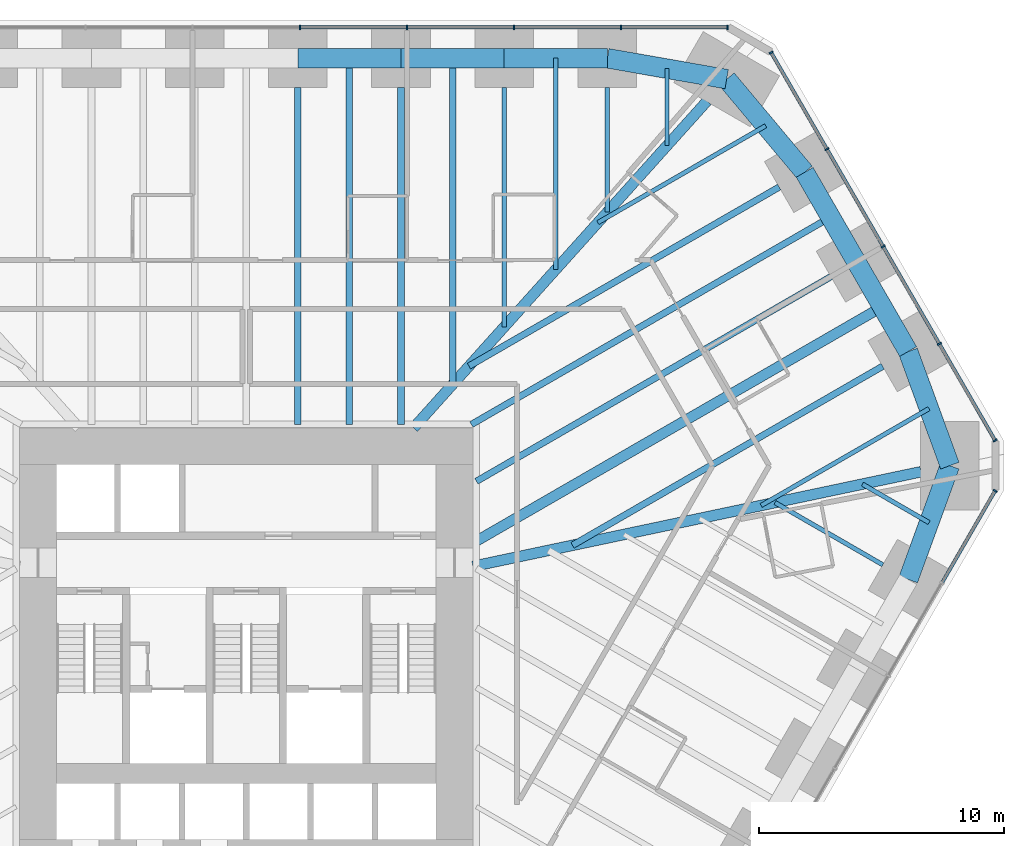
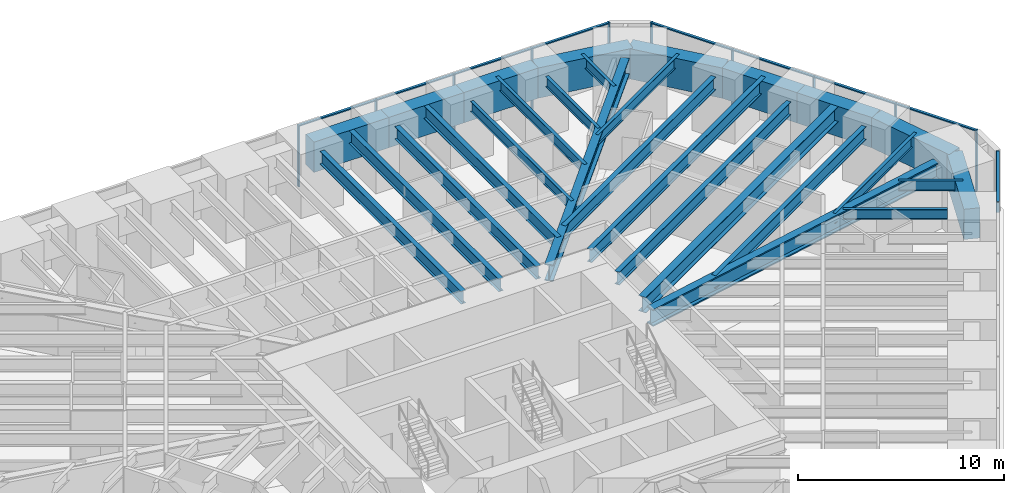
# One storey, part 9 of 17: 28 beams, 20 members, 3 elements without a shape of their own.
"""IFC4 building model written with IfcOpenShell, lengths in metres."""

from ifc_helpers import new_model, si_unit, direction, frame, origin, origin_2d, place, context, subcontext, project, spatial, rectangle, i_section, extrude, material, material_profile, profile_set, type_object, element, aggregate, save


model = new_model("IFC4")

# Units and contexts
model_context = context("Model", 3, precision=1e-05, world=origin(), true_north=direction((0.0, 1.0)))
body_context = subcontext(model_context, "Body", "Model", "MODEL_VIEW")
ifc_project = project(units=[si_unit("LENGTHUNIT", "METRE"), si_unit("AREAUNIT", "SQUARE_METRE"), si_unit("VOLUMEUNIT", "CUBIC_METRE"), si_unit("PLANEANGLEUNIT", "RADIAN"), si_unit("MASSUNIT", "GRAM", prefix="KILO")], contexts=[model_context])

# Site, building, storey
site_placement = place(None, origin())
site = spatial("IfcSite", under=ifc_project, at=site_placement, CompositionType="ELEMENT")
building_placement = place(site_placement, origin())
building = spatial("IfcBuilding", under=site, at=building_placement, Name="Sandreach Pilgrim Tower", CompositionType="ELEMENT")
storey_placement = place(building_placement, frame((0.0, 0.0, 38.199951171875)))
storey = spatial("IfcBuildingStorey", under=building, at=storey_placement, Name="L08", CompositionType="ELEMENT", Elevation=38.199951171875)

# Curtain wall, members
ifc_material_1 = material(Name="Aluminium framed curtain wall", Category="aluminium")
curtain_wall_type = type_object("IfcCurtainWallType", Name="Hostel tower curtain wall", PredefinedType="NOTDEFINED", material=ifc_material_1)
curtain_wall_1_placement = place(storey_placement, origin())
curtain_wall_1 = element("IfcCurtainWall", 1, at=curtain_wall_1_placement, inside=storey, type_object=curtain_wall_type, Name="CW-1 L08 N", PredefinedType="NOTDEFINED")
ifc_material_2 = material(Name="Aluminium extrusion", Category="aluminium")
ifc_material_profile_1 = material_profile(ifc_material_2, rectangle(XDim=0.06494140625, YDim=0.179931640625, at=origin_2d()), Name="CW-1M 65X180")
ifc_profile_set_1 = profile_set([ifc_material_profile_1], Name="Aluminium extrusion")
member_type_1 = type_object("IfcMemberType", Name="CW-1 mullion", PredefinedType="MULLION", material=ifc_profile_set_1)
member_1_placement = place(storey_placement, frame((2.185791015625, 23.94873046875, 0.0), z_axis=(0.0, 0.0, 1.0), x_axis=(1.0, 0.0, 0.0)))
member_1 = element("IfcMember", 2, at=member_1_placement, type_object=member_type_1, Name="CW-1 mullion 6", PredefinedType="MULLION", context=body_context, shape_type="SweptSolid", body=[
    extrude(rectangle(XDim=0.06494140625, YDim=0.179931640625, at=origin_2d()), origin(), (0.0, 0.0, 1.0), 3.64013671875),
])
member_2_placement = place(storey_placement, frame((6.557373046875, 23.94873046875, 0.0), z_axis=(0.0, 0.0, 1.0), x_axis=(1.0, 0.0, 0.0)))
member_2 = element("IfcMember", 3, at=member_2_placement, type_object=member_type_1, Name="CW-1 mullion 7", PredefinedType="MULLION", context=body_context, shape_type="SweptSolid", body=[
    extrude(rectangle(XDim=0.06494140625, YDim=0.179931640625, at=origin_2d()), origin(), (0.0, 0.0, 1.0), 3.64013671875),
])
member_3_placement = place(storey_placement, frame((10.928955078125, 23.94873046875, 0.0), z_axis=(0.0, 0.0, 1.0), x_axis=(1.0, 0.0, 0.0)))
member_3 = element("IfcMember", 4, at=member_3_placement, type_object=member_type_1, Name="CW-1 mullion 8", PredefinedType="MULLION", context=body_context, shape_type="SweptSolid", body=[
    extrude(rectangle(XDim=0.06494140625, YDim=0.179931640625, at=origin_2d()), origin(), (0.0, 0.0, 1.0), 3.64013671875),
])
member_4_placement = place(storey_placement, frame((15.300537109375, 23.94873046875, 0.0), z_axis=(0.0, 0.0, 1.0), x_axis=(1.0, 0.0, 0.0)))
member_4 = element("IfcMember", 5, at=member_4_placement, type_object=member_type_1, Name="CW-1 mullion 9", PredefinedType="MULLION", context=body_context, shape_type="SweptSolid", body=[
    extrude(rectangle(XDim=0.06494140625, YDim=0.179931640625, at=origin_2d()), origin(), (0.0, 0.0, 1.0), 3.64013671875),
])
member_5_placement = place(storey_placement, frame((19.6396484375, 23.94873046875, 0.0), z_axis=(0.0, 0.0, 1.0), x_axis=(1.0, 0.0, 0.0)))
member_5 = element("IfcMember", 6, at=member_5_placement, type_object=member_type_1, Name="CW-1 mullion 10", PredefinedType="MULLION", context=body_context, shape_type="SweptSolid", body=[
    extrude(rectangle(XDim=0.06494140625, YDim=0.179931640625, at=origin_2d()), origin(), (0.0, 0.0, 1.0), 3.64013671875),
])

curtain_wall_2_placement = place(storey_placement, origin())
curtain_wall_2 = element("IfcCurtainWall", 7, at=curtain_wall_2_placement, inside=storey, type_object=curtain_wall_type, Name="CW-1 L08 NE", PredefinedType="NOTDEFINED")
member_6_placement = place(storey_placement, frame((21.42041015625, 22.920654296875, 0.0), z_axis=(0.0, 0.0, 1.0), x_axis=(0.5, -0.866025403784, 0.0)))
member_6 = element("IfcMember", 8, at=member_6_placement, type_object=member_type_1, Name="CW-1 mullion 1", PredefinedType="MULLION", context=body_context, shape_type="SweptSolid", body=[
    extrude(rectangle(XDim=0.06494140625, YDim=0.179931640625, at=origin_2d()), origin(), (0.0, 0.0, 1.0), 3.64013671875),
])
member_7_placement = place(storey_placement, frame((23.697265625, 18.97705078125, 0.0), z_axis=(0.0, 0.0, 1.0), x_axis=(0.5, -0.866025403784, 0.0)))
member_7 = element("IfcMember", 9, at=member_7_placement, type_object=member_type_1, Name="CW-1 mullion 2", PredefinedType="MULLION", context=body_context, shape_type="SweptSolid", body=[
    extrude(rectangle(XDim=0.06494140625, YDim=0.179931640625, at=origin_2d()), origin(), (0.0, 0.0, 1.0), 3.64013671875),
])
member_8_placement = place(storey_placement, frame((25.990234375, 15.00537109375, 0.0), z_axis=(0.0, 0.0, 1.0), x_axis=(0.5, -0.866025403784, 0.0)))
member_8 = element("IfcMember", 10, at=member_8_placement, type_object=member_type_1, Name="CW-1 mullion 3", PredefinedType="MULLION", context=body_context, shape_type="SweptSolid", body=[
    extrude(rectangle(XDim=0.06494140625, YDim=0.179931640625, at=origin_2d()), origin(), (0.0, 0.0, 1.0), 3.64013671875),
])
member_9_placement = place(storey_placement, frame((28.283203125, 11.03369140625, 0.0), z_axis=(0.0, 0.0, 1.0), x_axis=(0.5, -0.866025403784, 0.0)))
member_9 = element("IfcMember", 11, at=member_9_placement, type_object=member_type_1, Name="CW-1 mullion 4", PredefinedType="MULLION", context=body_context, shape_type="SweptSolid", body=[
    extrude(rectangle(XDim=0.06494140625, YDim=0.179931640625, at=origin_2d()), origin(), (0.0, 0.0, 1.0), 3.64013671875),
])
member_10_placement = place(storey_placement, frame((30.56005859375, 7.09033203125, 0.0), z_axis=(0.0, 0.0, 1.0), x_axis=(0.5, -0.866025403784, 0.0)))
member_10 = element("IfcMember", 12, at=member_10_placement, type_object=member_type_1, Name="CW-1 mullion 5", PredefinedType="MULLION", context=body_context, shape_type="SweptSolid", body=[
    extrude(rectangle(XDim=0.06494140625, YDim=0.179931640625, at=origin_2d()), origin(), (0.0, 0.0, 1.0), 3.64013671875),
])

# Curtain wall, member
curtain_wall_3_placement = place(storey_placement, origin())
curtain_wall_3 = element("IfcCurtainWall", 13, at=curtain_wall_3_placement, inside=storey, type_object=curtain_wall_type, Name="CW-1 L08 SE", PredefinedType="NOTDEFINED")
member_11_placement = place(storey_placement, frame((30.56005859375, 5.033935546875, 0.0), z_axis=(0.0, 0.0, 1.0), x_axis=(-0.5, -0.866025403784, 0.0)))
member_11 = element("IfcMember", 14, at=member_11_placement, type_object=member_type_1, Name="CW-1 mullion 1", PredefinedType="MULLION", context=body_context, shape_type="SweptSolid", body=[
    extrude(rectangle(XDim=0.06494140625, YDim=0.179931640625, at=origin_2d()), origin(), (0.0, 0.0, 1.0), 3.64013671875),
])

# Member
ifc_material_3 = material(Name="Aluminium extrusion", Category="aluminium")
ifc_material_profile_2 = material_profile(ifc_material_3, rectangle(XDim=0.139892578125, YDim=0.070068359375, at=origin_2d()), Name="CW-1T 140X70")
ifc_profile_set_2 = profile_set([ifc_material_profile_2], Name="Aluminium extrusion")
member_type_2 = type_object("IfcMemberType", Name="CW-1 transom", PredefinedType="USERDEFINED", material=ifc_profile_set_2)
member_12_placement = place(storey_placement, frame((2.21826171875, 23.94873046875, 3.60498046875), z_axis=(1.0, 0.0, 0.0), x_axis=(0.0, 1.0, 0.0)))
member_12 = element("IfcMember", 15, at=member_12_placement, type_object=member_type_2, Name="CW-1 head transom 6", ObjectType="TRANSOM", PredefinedType="USERDEFINED", context=body_context, shape_type="SweptSolid", body=[
    extrude(rectangle(XDim=0.139892578125, YDim=0.070068359375, at=origin_2d()), origin(), (0.0, 0.0, 1.0), 4.306640625),
])

member_13_placement = place(storey_placement, frame((6.58984375, 23.94873046875, 3.60498046875), z_axis=(1.0, 0.0, 0.0), x_axis=(0.0, 1.0, 0.0)))
member_13 = element("IfcMember", 16, at=member_13_placement, type_object=member_type_2, Name="CW-1 head transom 7", ObjectType="TRANSOM", PredefinedType="USERDEFINED", context=body_context, shape_type="SweptSolid", body=[
    extrude(rectangle(XDim=0.139892578125, YDim=0.070068359375, at=origin_2d()), origin(), (0.0, 0.0, 1.0), 4.306640625),
])

member_14_placement = place(storey_placement, frame((10.96142578125, 23.94873046875, 3.60498046875), z_axis=(1.0, 0.0, 0.0), x_axis=(0.0, 1.0, 0.0)))
member_14 = element("IfcMember", 17, at=member_14_placement, type_object=member_type_2, Name="CW-1 head transom 8", ObjectType="TRANSOM", PredefinedType="USERDEFINED", context=body_context, shape_type="SweptSolid", body=[
    extrude(rectangle(XDim=0.139892578125, YDim=0.070068359375, at=origin_2d()), origin(), (0.0, 0.0, 1.0), 4.306640625),
])

member_15_placement = place(storey_placement, frame((15.3330078125, 23.94873046875, 3.60498046875), z_axis=(1.0, 0.0, 0.0), x_axis=(0.0, 1.0, 0.0)))
member_15 = element("IfcMember", 18, at=member_15_placement, type_object=member_type_2, Name="CW-1 head transom 9", ObjectType="TRANSOM", PredefinedType="USERDEFINED", context=body_context, shape_type="SweptSolid", body=[
    extrude(rectangle(XDim=0.139892578125, YDim=0.070068359375, at=origin_2d()), origin(), (0.0, 0.0, 1.0), 4.274169921875),
])

aggregate(curtain_wall_1, [member_1, member_2, member_3, member_4, member_5, member_12, member_13, member_14, member_15])

member_16_placement = place(storey_placement, frame((21.4365234375, 22.892333984375, 3.60498046875), z_axis=(0.500017500808, -0.866015299452, 0.0), x_axis=(0.866015299452, 0.500017500808, 0.0)))
member_16 = element("IfcMember", 19, at=member_16_placement, type_object=member_type_2, Name="CW-1 head transom 1", ObjectType="TRANSOM", PredefinedType="USERDEFINED", context=body_context, shape_type="SweptSolid", body=[
    extrude(rectangle(XDim=0.139892578125, YDim=0.070068359375, at=origin_2d()), origin(), (0.0, 0.0, 1.0), 4.488525390625),
])

member_17_placement = place(storey_placement, frame((23.71337890625, 18.948974609375, 3.60498046875), z_axis=(0.500001366228, -0.866024614991, 0.0), x_axis=(0.866024614991, 0.500001366228, 0.0)))
member_17 = element("IfcMember", 20, at=member_17_placement, type_object=member_type_2, Name="CW-1 head transom 2", ObjectType="TRANSOM", PredefinedType="USERDEFINED", context=body_context, shape_type="SweptSolid", body=[
    extrude(rectangle(XDim=0.139892578125, YDim=0.070068359375, at=origin_2d()), origin(), (0.0, 0.0, 1.0), 4.52099609375),
])

member_18_placement = place(storey_placement, frame((26.00634765625, 14.977294921875, 3.60498046875), z_axis=(0.500001366228, -0.866024614991, 0.0), x_axis=(0.866024614991, 0.500001366228, 0.0)))
member_18 = element("IfcMember", 21, at=member_18_placement, type_object=member_type_2, Name="CW-1 head transom 3", ObjectType="TRANSOM", PredefinedType="USERDEFINED", context=body_context, shape_type="SweptSolid", body=[
    extrude(rectangle(XDim=0.139892578125, YDim=0.070068359375, at=origin_2d()), origin(), (0.0, 0.0, 1.0), 4.52099609375),
])

member_19_placement = place(storey_placement, frame((28.299560546875, 11.005615234375, 3.60498046875), z_axis=(0.499976706761, -0.866038851724, 0.0), x_axis=(0.866038851724, 0.499976706761, 0.0)))
member_19 = element("IfcMember", 22, at=member_19_placement, type_object=member_type_2, Name="CW-1 head transom 4", ObjectType="TRANSOM", PredefinedType="USERDEFINED", context=body_context, shape_type="SweptSolid", body=[
    extrude(rectangle(XDim=0.139892578125, YDim=0.070068359375, at=origin_2d()), origin(), (0.0, 0.0, 1.0), 4.488525390625),
])

aggregate(curtain_wall_2, [member_6, member_7, member_8, member_9, member_10, member_16, member_17, member_18, member_19])

member_20_placement = place(storey_placement, frame((30.543701171875, 5.005859375, 3.60498046875), z_axis=(-0.499991113271, -0.866030534479, 0.0), x_axis=(0.866030534479, -0.499991113271, 0.0)))
member_20 = element("IfcMember", 23, at=member_20_placement, type_object=member_type_2, Name="CW-1 head transom 1", ObjectType="TRANSOM", PredefinedType="USERDEFINED", context=body_context, shape_type="SweptSolid", body=[
    extrude(rectangle(XDim=0.139892578125, YDim=0.070068359375, at=origin_2d()), origin(), (0.0, 0.0, 1.0), 4.27392578125),
])

aggregate(curtain_wall_3, [member_11, member_20])

# Beams
ifc_material_4 = material(Name="Steel ASTM A992 Grade 50", Category="steel")
ifc_material_profile_3 = material_profile(ifc_material_4, i_section(OverallWidth=0.431884765625, OverallDepth=0.988037109375, WebThickness=0.034423828125, FlangeThickness=0.06201171875, at=origin_2d()), Name="W36X441")
ifc_profile_set_3 = profile_set([ifc_material_profile_3], Name="Steel ASTM A992 Grade 50")
beam_type_1 = type_object("IfcBeamType", Name="Corner girder W36X441", PredefinedType="BEAM", material=ifc_profile_set_3)
beam_1_placement = place(storey_placement, frame((18.8046875, 20.94189453125, 3.14599609375), z_axis=(-0.668127834846, -0.74404650144, 0.0), x_axis=(0.74404650144, -0.668127834846, 0.0)))
element("IfcBeam", 24, at=beam_1_placement, inside=storey, type_object=beam_type_1, Name="BM L08 CG09", PredefinedType="BEAM", context=body_context, shape_type="SweptSolid", body=[
    extrude(i_section(OverallWidth=0.431884765625, OverallDepth=0.988037109375, WebThickness=0.034423828125, FlangeThickness=0.06201171875, at=origin_2d()), origin(), (0.0, 0.0, 1.0), 17.931396484375),
])
ifc_material_5 = material(Name="Steel ASTM A992 Grade 50", Category="steel")
ifc_material_profile_4 = material_profile(ifc_material_5, i_section(OverallWidth=0.436767578125, OverallDepth=1.010986328125, WebThickness=0.040771484375, FlangeThickness=0.073974609375, at=origin_2d()), Name="W36X529")
ifc_profile_set_4 = profile_set([ifc_material_profile_4], Name="Steel ASTM A992 Grade 50")
beam_type_2 = type_object("IfcBeamType", Name="Corner girder W36X529", PredefinedType="BEAM", material=ifc_profile_set_4)
beam_2_placement = place(storey_placement, frame((27.53857421875, 5.814208984375, 3.134521484375), z_axis=(-0.978429884383, -0.206579189045, 0.0), x_axis=(0.206579189045, -0.978429884383, 0.0)))
element("IfcBeam", 25, at=beam_2_placement, inside=storey, type_object=beam_type_2, Name="BM L08 CG13", PredefinedType="BEAM", context=body_context, shape_type="SweptSolid", body=[
    extrude(i_section(OverallWidth=0.436767578125, OverallDepth=1.010986328125, WebThickness=0.040771484375, FlangeThickness=0.073974609375, at=origin_2d()), origin(), (0.0, 0.0, 1.0), 18.691650390625),
])
ifc_material_6 = material(Name="Steel ASTM A992 Grade 50", Category="steel")
ifc_material_profile_5 = material_profile(ifc_material_6, i_section(OverallWidth=0.1787109375, OverallDepth=0.60205078125, WebThickness=0.010986328125, FlangeThickness=0.014892578125, at=origin_2d()), Name="W24X62")
ifc_profile_set_5 = profile_set([ifc_material_profile_5], Name="Steel ASTM A992 Grade 50")
beam_type_3 = type_object("IfcBeamType", Name="Floor beam W24X62", PredefinedType="BEAM", material=ifc_profile_set_5)
beam_3_placement = place(storey_placement, frame((10.52490234375, 21.48876953125, 3.339111328125), z_axis=(0.0, -1.0, 0.0), x_axis=(1.0, 0.0, 0.0)))
element("IfcBeam", 26, at=beam_3_placement, inside=storey, type_object=beam_type_3, Name="BM L08 F07", PredefinedType="BEAM", context=body_context, shape_type="SweptSolid", body=[
    extrude(i_section(OverallWidth=0.1787109375, OverallDepth=0.60205078125, WebThickness=0.010986328125, FlangeThickness=0.014892578125, at=origin_2d()), origin(), (0.0, 0.0, 1.0), 9.767822265625),
])
beam_4_placement = place(storey_placement, frame((14.734619140625, 21.48876953125, 3.339111328125), z_axis=(0.0, -1.0, 0.0), x_axis=(1.0, 0.0, 0.0)))
element("IfcBeam", 27, at=beam_4_placement, inside=storey, type_object=beam_type_3, Name="BM L08 F08", PredefinedType="BEAM", context=body_context, shape_type="SweptSolid", body=[
    extrude(i_section(OverallWidth=0.1787109375, OverallDepth=0.60205078125, WebThickness=0.010986328125, FlangeThickness=0.014892578125, at=origin_2d()), origin(), (0.0, 0.0, 1.0), 5.079345703125),
])
beam_5_placement = place(storey_placement, frame((25.97705078125, 2.016357421875, 3.339111328125), z_axis=(-0.866027897259, 0.49999568115, 0.0), x_axis=(-0.49999568115, -0.866027897259, 0.0)))
element("IfcBeam", 28, at=beam_5_placement, inside=storey, type_object=beam_type_3, Name="BM L08 F14", PredefinedType="BEAM", context=body_context, shape_type="SweptSolid", body=[
    extrude(i_section(OverallWidth=0.1787109375, OverallDepth=0.60205078125, WebThickness=0.010986328125, FlangeThickness=0.014892578125, at=origin_2d()), origin(), (0.0, 0.0, 1.0), 5.0791015625),
])
beam_6_placement = place(storey_placement, frame((12.629638671875, 22.688720703125, 3.339111328125), z_axis=(0.0, -1.0, 0.0), x_axis=(1.0, 0.0, 0.0)))
element("IfcBeam", 29, at=beam_6_placement, inside=storey, type_object=beam_type_3, Name="BM L08 FM07", PredefinedType="BEAM", context=body_context, shape_type="SweptSolid", body=[
    extrude(i_section(OverallWidth=0.1787109375, OverallDepth=0.60205078125, WebThickness=0.010986328125, FlangeThickness=0.014892578125, at=origin_2d()), origin(), (0.0, 0.0, 1.0), 8.62353515625),
])
beam_7_placement = place(storey_placement, frame((17.17041015625, 22.26171875, 3.339111328125), z_axis=(0.0, -1.0, 0.0), x_axis=(1.0, 0.0, 0.0)))
element("IfcBeam", 30, at=beam_7_placement, inside=storey, type_object=beam_type_3, Name="BM L08 FM08", PredefinedType="BEAM", context=body_context, shape_type="SweptSolid", body=[
    extrude(i_section(OverallWidth=0.1787109375, OverallDepth=0.60205078125, WebThickness=0.010986328125, FlangeThickness=0.014892578125, at=origin_2d()), origin(), (0.0, 0.0, 1.0), 3.1396484375),
])
for number, where, z_axis, x_axis, name in (
    (31, (21.197021484375, 19.933349609375, 3.339111328125), (-0.866028778003, -0.499994155636, 0.0), (0.499994155636, -0.866028778003, 0.0), "BM L08 FM09"),
    (32, (27.861328125, 8.390380859375, 3.339111328125), (-0.866028778003, -0.499994155636, 0.0), (0.499994155636, -0.866028778003, 0.0), "BM L08 FM12"),
):
    element("IfcBeam", number, at=place(storey_placement, frame(where, z_axis=z_axis, x_axis=x_axis)), inside=storey, type_object=beam_type_3, Name=name, PredefinedType="BEAM", context=body_context, shape_type="SweptSolid", body=[
        extrude(i_section(OverallWidth=0.1787109375, OverallDepth=0.60205078125, WebThickness=0.010986328125, FlangeThickness=0.014892578125, at=origin_2d()), origin(), (0.0, 0.0, 1.0), 7.90771484375),
    ])
beam_8_placement = place(storey_placement, frame((27.864501953125, 3.7392578125, 3.339111328125), z_axis=(-0.866023718453, 0.500002919068, 0.0), x_axis=(-0.500002919068, -0.866023718453, 0.0)))
element("IfcBeam", 33, at=beam_8_placement, inside=storey, type_object=beam_type_3, Name="BM L08 FM13", PredefinedType="BEAM", context=body_context, shape_type="SweptSolid", body=[
    extrude(i_section(OverallWidth=0.1787109375, OverallDepth=0.60205078125, WebThickness=0.010986328125, FlangeThickness=0.014892578125, at=origin_2d()), origin(), (0.0, 0.0, 1.0), 3.1396484375),
])
ifc_material_7 = material(Name="Steel ASTM A992 Grade 50", Category="steel")
ifc_material_profile_6 = material_profile(ifc_material_7, i_section(OverallWidth=0.2666015625, OverallDepth=0.761962890625, WebThickness=0.014404296875, FlangeThickness=0.021484375, at=origin_2d()), Name="W30X116")
ifc_profile_set_6 = profile_set([ifc_material_profile_6], Name="Steel ASTM A992 Grade 50")
beam_type_4 = type_object("IfcBeamType", Name="Floor beam W30X116", PredefinedType="BEAM", material=ifc_profile_set_6)
for number, where, z_axis, x_axis, name in (
    (34, (2.10498046875, 21.48876953125, 3.259033203125), (0.0, -1.0, 0.0), (1.0, 0.0, 0.0), "BM L08 F05"),
    (35, (6.31494140625, 21.48876953125, 3.259033203125), (0.0, -1.0, 0.0), (1.0, 0.0, 0.0), "BM L08 F06"),
):
    element("IfcBeam", number, at=place(storey_placement, frame(where, z_axis=z_axis, x_axis=x_axis)), inside=storey, type_object=beam_type_4, Name=name, PredefinedType="BEAM", context=body_context, shape_type="SweptSolid", body=[
        extrude(i_section(OverallWidth=0.2666015625, OverallDepth=0.761962890625, WebThickness=0.014404296875, FlangeThickness=0.021484375, at=origin_2d()), origin(), (0.0, 0.0, 1.0), 13.745361328125),
    ])
for number, where, z_axis, x_axis, name in (
    (36, (21.74853515625, 17.43212890625, 3.259033203125), (-0.866020355572, -0.500008743658, 0.0), (0.500008743658, -0.866020355572, 0.0), "BM L08 F10"),
    (37, (25.970947265625, 10.118896484375, 3.259033203125), (-0.866020355572, -0.500008743658, 0.0), (0.500008743658, -0.866020355572, 0.0), "BM L08 F12"),
):
    element("IfcBeam", number, at=place(storey_placement, frame(where, z_axis=z_axis, x_axis=x_axis)), inside=storey, type_object=beam_type_4, Name=name, PredefinedType="BEAM", context=body_context, shape_type="SweptSolid", body=[
        extrude(i_section(OverallWidth=0.2666015625, OverallDepth=0.761962890625, WebThickness=0.014404296875, FlangeThickness=0.021484375, at=origin_2d()), origin(), (0.0, 0.0, 1.0), 14.615966796875),
    ])
beam_9_placement = place(storey_placement, frame((4.2099609375, 22.688720703125, 3.259033203125), z_axis=(0.0, -1.0, 0.0), x_axis=(1.0, 0.0, 0.0)))
element("IfcBeam", 38, at=beam_9_placement, inside=storey, type_object=beam_type_4, Name="BM L08 FM05", PredefinedType="BEAM", context=body_context, shape_type="SweptSolid", body=[
    extrude(i_section(OverallWidth=0.2666015625, OverallDepth=0.761962890625, WebThickness=0.014404296875, FlangeThickness=0.021484375, at=origin_2d()), origin(), (0.0, 0.0, 1.0), 14.9453125),
])
beam_10_placement = place(storey_placement, frame((8.419921875, 22.688720703125, 3.259033203125), z_axis=(0.0, -1.0, 0.0), x_axis=(1.0, 0.0, 0.0)))
element("IfcBeam", 39, at=beam_10_placement, inside=storey, type_object=beam_type_4, Name="BM L08 FM06", PredefinedType="BEAM", context=body_context, shape_type="SweptSolid", body=[
    extrude(i_section(OverallWidth=0.2666015625, OverallDepth=0.761962890625, WebThickness=0.014404296875, FlangeThickness=0.021484375, at=origin_2d()), origin(), (0.0, 0.0, 1.0), 13.311767578125),
])
ifc_material_8 = material(Name="Steel ASTM A992 Grade 50", Category="steel")
ifc_material_profile_7 = material_profile(ifc_material_8, i_section(OverallWidth=0.2666015625, OverallDepth=0.77978515625, WebThickness=0.0166015625, FlangeThickness=0.030029296875, at=origin_2d()), Name="W30X148")
ifc_profile_set_7 = profile_set([ifc_material_profile_7], Name="Steel ASTM A992 Grade 50")
beam_type_5 = type_object("IfcBeamType", Name="Floor beam W30X148", PredefinedType="BEAM", material=ifc_profile_set_7)
beam_11_placement = place(storey_placement, frame((23.85986328125, 13.775390625, 3.250244140625), z_axis=(-0.866031037473, -0.499990242038, 0.0), x_axis=(0.499990242038, -0.866031037473, 0.0)))
element("IfcBeam", 40, at=beam_11_placement, inside=storey, type_object=beam_type_5, Name="BM L08 F11", PredefinedType="BEAM", context=body_context, shape_type="SweptSolid", body=[
    extrude(i_section(OverallWidth=0.2666015625, OverallDepth=0.77978515625, WebThickness=0.0166015625, FlangeThickness=0.030029296875, at=origin_2d()), origin(), (0.0, 0.0, 1.0), 16.704345703125),
])
beam_12_placement = place(storey_placement, frame((23.843505859375, 16.203857421875, 3.250244140625), z_axis=(-0.866027248123, -0.499996805499, 0.0), x_axis=(0.499996805499, -0.866027248123, 0.0)))
element("IfcBeam", 41, at=beam_12_placement, inside=storey, type_object=beam_type_5, Name="BM L08 FM10", PredefinedType="BEAM", context=body_context, shape_type="SweptSolid", body=[
    extrude(i_section(OverallWidth=0.2666015625, OverallDepth=0.77978515625, WebThickness=0.0166015625, FlangeThickness=0.030029296875, at=origin_2d()), origin(), (0.0, 0.0, 1.0), 16.9208984375),
])
ifc_material_9 = material(Name="Steel ASTM A992 Grade 50", Category="steel")
ifc_material_profile_8 = material_profile(ifc_material_9, i_section(OverallWidth=0.419189453125, OverallDepth=0.927001953125, WebThickness=0.019287109375, FlangeThickness=0.031982421875, at=origin_2d()), Name="W36X231")
ifc_profile_set_8 = profile_set([ifc_material_profile_8], Name="Steel ASTM A992 Grade 50")
beam_type_6 = type_object("IfcBeamType", Name="Floor beam W36X231", PredefinedType="BEAM", material=ifc_profile_set_8)
beam_13_placement = place(storey_placement, frame((25.95458984375, 12.547119140625, 3.176513671875), z_axis=(-0.866028474707, -0.499994680968, 0.0), x_axis=(0.499994680968, -0.866028474707, 0.0)))
element("IfcBeam", 42, at=beam_13_placement, inside=storey, type_object=beam_type_6, Name="BM L08 FM11", PredefinedType="BEAM", context=body_context, shape_type="SweptSolid", body=[
    extrude(i_section(OverallWidth=0.419189453125, OverallDepth=0.927001953125, WebThickness=0.019287109375, FlangeThickness=0.031982421875, at=origin_2d()), origin(), (0.0, 0.0, 1.0), 19.123291015625),
])
ifc_material_10 = material(Name="Concrete 10000 psi", Category="concrete")
ifc_material_profile_9 = material_profile(ifc_material_10, rectangle(XDim=0.800048828125, YDim=1.800048828125, at=origin_2d()), Name="RC800X1800")
ifc_profile_set_9 = profile_set([ifc_material_profile_9], Name="Concrete 10000 psi")
beam_type_7 = type_object("IfcBeamType", Name="Spandrel beam RC800X1800", PredefinedType="SPANDREL", material=ifc_profile_set_9)
for number, where, z_axis, x_axis, name in (
    (43, (2.10498046875, 22.688720703125, 2.739990234375), (1.0, 0.0, 0.0), (0.0, 1.0, 0.0), "BM L08 SP05"),
    (44, (6.31494140625, 22.688720703125, 2.739990234375), (1.0, 0.0, 0.0), (0.0, 1.0, 0.0), "BM L08 SP06"),
):
    element("IfcBeam", number, at=place(storey_placement, frame(where, z_axis=z_axis, x_axis=x_axis)), inside=storey, type_object=beam_type_7, Name=name, PredefinedType="SPANDREL", context=body_context, shape_type="SweptSolid", body=[
        extrude(rectangle(XDim=0.800048828125, YDim=1.800048828125, at=origin_2d()), origin(), (0.0, 0.0, 1.0), 4.2099609375),
    ])
beam_14_placement = place(storey_placement, frame((10.52490234375, 22.688720703125, 2.739990234375), z_axis=(1.0, 0.0, 0.0), x_axis=(0.0, 1.0, 0.0)))
element("IfcBeam", 45, at=beam_14_placement, inside=storey, type_object=beam_type_7, Name="BM L08 SP07", PredefinedType="SPANDREL", context=body_context, shape_type="SweptSolid", body=[
    extrude(rectangle(XDim=0.800048828125, YDim=1.800048828125, at=origin_2d()), origin(), (0.0, 0.0, 1.0), 4.209716796875),
])
beam_15_placement = place(storey_placement, frame((14.734619140625, 22.688720703125, 2.739990234375), z_axis=(0.984981186582, -0.172661698355, 0.0), x_axis=(0.172661698355, 0.984981186582, 0.0)))
element("IfcBeam", 46, at=beam_15_placement, inside=storey, type_object=beam_type_7, Name="BM L08 SP08", PredefinedType="SPANDREL", context=body_context, shape_type="SweptSolid", body=[
    extrude(rectangle(XDim=0.800048828125, YDim=1.800048828125, at=origin_2d()), origin(), (0.0, 0.0, 1.0), 4.946044921875),
])
beam_16_placement = place(storey_placement, frame((19.6064453125, 21.834716796875, 2.739990234375), z_axis=(0.641665295114, -0.766984777584, 0.0), x_axis=(0.766984777584, 0.641665295114, 0.0)))
element("IfcBeam", 47, at=beam_16_placement, inside=storey, type_object=beam_type_7, Name="BM L08 SP09", PredefinedType="SPANDREL", context=body_context, shape_type="SweptSolid", body=[
    extrude(rectangle(XDim=0.800048828125, YDim=1.800048828125, at=origin_2d()), origin(), (0.0, 0.0, 1.0), 4.9580078125),
])
beam_17_placement = place(storey_placement, frame((22.787841796875, 18.031982421875, 2.739990234375), z_axis=(0.500001084989, -0.866024777365, 0.0), x_axis=(0.866024777365, 0.500001084989, 0.0)))
element("IfcBeam", 48, at=beam_17_placement, inside=storey, type_object=beam_type_7, Name="BM L08 SP10", PredefinedType="SPANDREL", context=body_context, shape_type="SweptSolid", body=[
    extrude(rectangle(XDim=0.800048828125, YDim=1.800048828125, at=origin_2d()), origin(), (0.0, 0.0, 1.0), 4.22216796875),
])
beam_18_placement = place(storey_placement, frame((24.89892578125, 14.37548828125, 2.739990234375), z_axis=(0.500019412692, -0.866014195571, 0.0), x_axis=(0.866014195571, 0.500019412692, 0.0)))
element("IfcBeam", 49, at=beam_18_placement, inside=storey, type_object=beam_type_7, Name="BM L08 SP11", PredefinedType="SPANDREL", context=body_context, shape_type="SweptSolid", body=[
    extrude(rectangle(XDim=0.800048828125, YDim=1.800048828125, at=origin_2d()), origin(), (0.0, 0.0, 1.0), 4.222412109375),
])
beam_19_placement = place(storey_placement, frame((27.01025390625, 10.71875, 2.739990234375), z_axis=(0.343367552823, -0.939201109278, 0.0), x_axis=(0.939201109278, 0.343367552823, 0.0)))
element("IfcBeam", 50, at=beam_19_placement, inside=storey, type_object=beam_type_7, Name="BM L08 SP12", PredefinedType="SPANDREL", context=body_context, shape_type="SweptSolid", body=[
    extrude(rectangle(XDim=0.800048828125, YDim=1.800048828125, at=origin_2d()), origin(), (0.0, 0.0, 1.0), 4.9580078125),
])
beam_20_placement = place(storey_placement, frame((28.712646484375, 6.062255859375, 2.739990234375), z_axis=(-0.342963480301, -0.939348737786, 0.0), x_axis=(0.939348737786, -0.342963480301, 0.0)))
element("IfcBeam", 51, at=beam_20_placement, inside=storey, type_object=beam_type_7, Name="BM L08 SP13", PredefinedType="SPANDREL", context=body_context, shape_type="SweptSolid", body=[
    extrude(rectangle(XDim=0.800048828125, YDim=1.800048828125, at=origin_2d()), origin(), (0.0, 0.0, 1.0), 4.946044921875),
])

save(model, "model.ifc")
